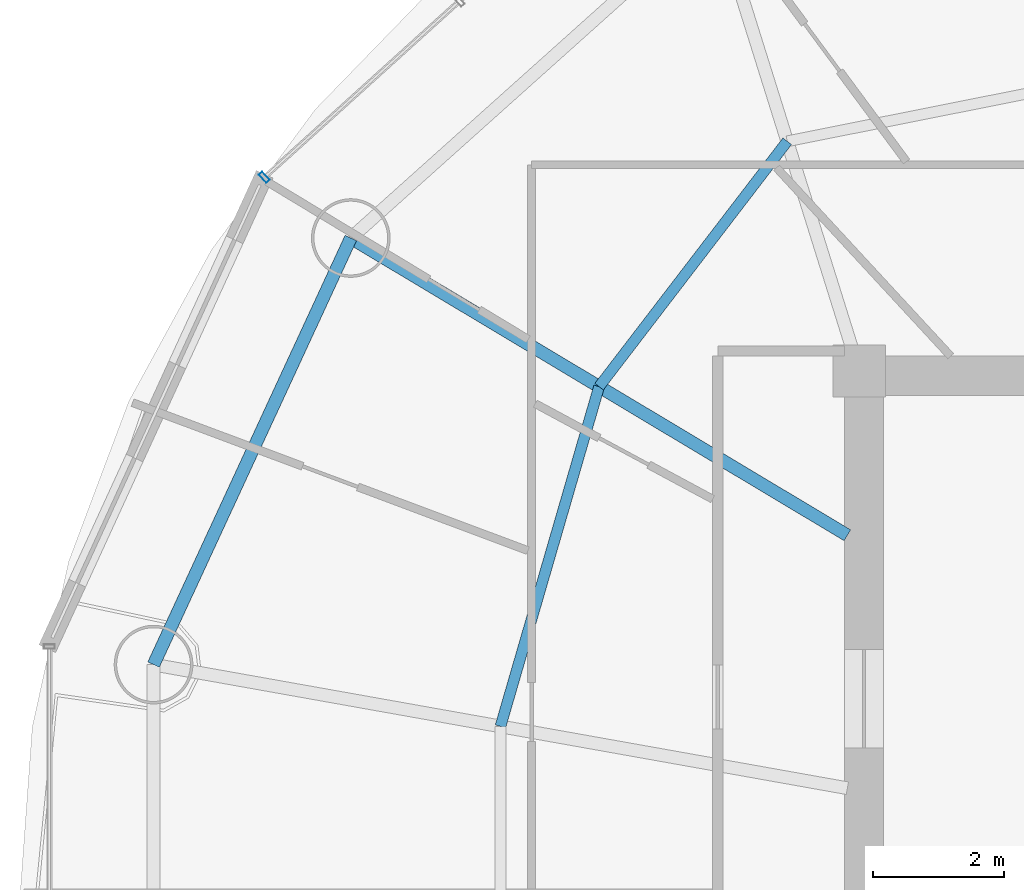
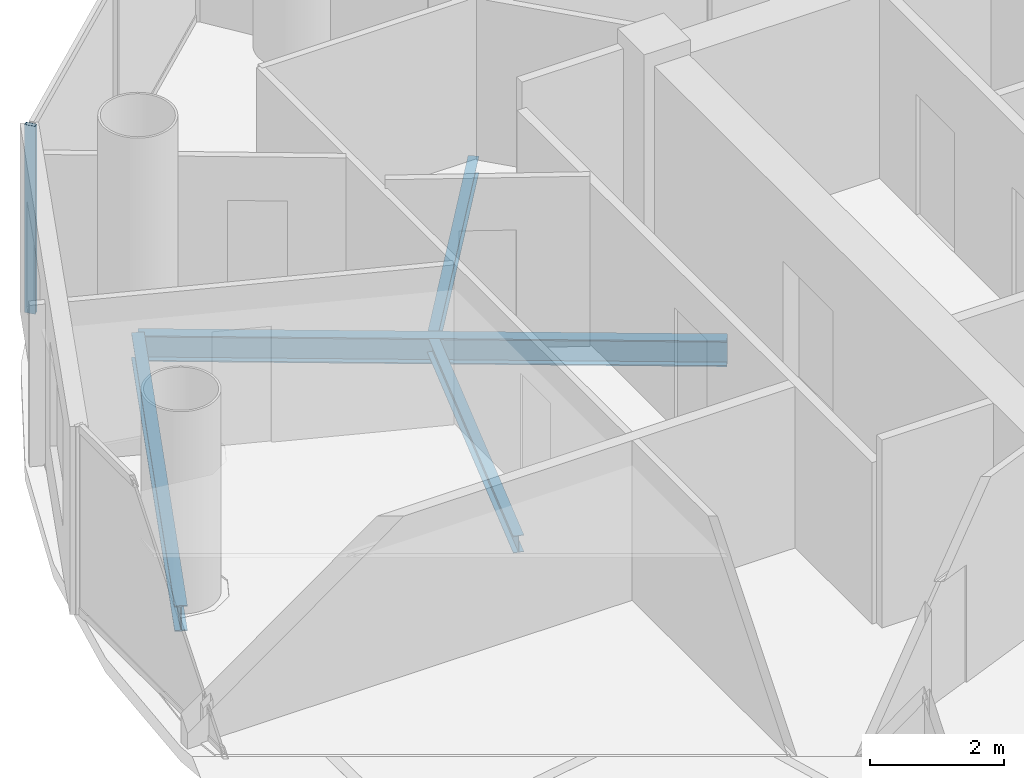
# One storey, part 8 of 26: 4 beams, 1 member, 1 element without a shape of its own.
"""IFC4 building model written with IfcOpenShell, lengths in metres."""

from ifc_helpers import new_model, si_unit, direction, frame, origin, origin_2d, place, context, subcontext, project, spatial, hollow_rectangle, i_section, extrude, source, transform, mapped, material, material_profile, profile_set, type_object, element, aggregate, save


model = new_model("IFC4")

# Units and contexts
model_context = context("Model", 3, precision=1e-05, world=origin(), true_north=direction((-0.2419218956, 0.970295726276)))
body_context = subcontext(model_context, "Body", "Model", "MODEL_VIEW")
ifc_project = project(units=[si_unit("LENGTHUNIT", "METRE"), si_unit("AREAUNIT", "SQUARE_METRE"), si_unit("VOLUMEUNIT", "CUBIC_METRE"), si_unit("PLANEANGLEUNIT", "RADIAN"), si_unit("MASSUNIT", "GRAM", prefix="KILO")], contexts=[model_context])

# Site, building, storey
site_placement = place(None, origin())
site = spatial("IfcSite", under=ifc_project, at=site_placement, CompositionType="ELEMENT")
building_placement = place(site_placement, origin())
building = spatial("IfcBuilding", under=site, at=building_placement, Name="Cobrevalo Terracotta Tower", CompositionType="ELEMENT")
storey_placement = place(building_placement, frame((0.0, 0.0, 217.10009765625)))
storey = spatial("IfcBuildingStorey", under=building, at=storey_placement, Name="L57", CompositionType="ELEMENT", Elevation=217.10009765625)

# Beams
ifc_material_1 = material(Name="Steel S355", Category="steel")
ifc_material_profile_1 = material_profile(ifc_material_1, i_section(OverallWidth=0.194091796875, OverallDepth=0.468994140625, WebThickness=0.011474609375, FlangeThickness=0.0205078125, at=origin_2d()), Name="W 460x106")
ifc_profile_set_1 = profile_set([ifc_material_profile_1], Name="Steel S355")
beam_type_1 = type_object("IfcBeamType", Name="Structural Beam W 460x106 (Steel S355)", PredefinedType="BEAM", material=ifc_profile_set_1)
beam_1_placement = place(storey_placement, frame((21.245849609375, 36.828125, -0.49951171875), z_axis=(0.858046392192, -0.513572184651, 0.0), x_axis=(0.513572184651, 0.858046392192, 0.0)))
element("IfcBeam", 1, at=beam_1_placement, inside=storey, type_object=beam_type_1, Name="L57 radial floor girder 07", PredefinedType="BEAM", context=body_context, shape_type="SweptSolid", body=[
    extrude(i_section(OverallWidth=0.194091796875, OverallDepth=0.468994140625, WebThickness=0.011474609375, FlangeThickness=0.0205078125, at=origin_2d()), origin(), (0.0, 0.0, 1.0), 8.827392578125),
])
ifc_material_profile_2 = material_profile(ifc_material_1, i_section(OverallWidth=0.1650390625, OverallDepth=0.31005859375, WebThickness=0.005859375, FlangeThickness=0.009765625, at=origin_2d()), Name="W 310x38.7")
ifc_profile_set_2 = profile_set([ifc_material_profile_2], Name="Steel S355")
beam_type_2 = type_object("IfcBeamType", Name="Structural Joist W 310x38.7 (Steel S355)", PredefinedType="JOIST", material=ifc_profile_set_2)
beam_2_placement = place(storey_placement, frame((27.902587890625, 38.303955078125, -0.420166015625), z_axis=(-0.608464146296, -0.793581364872, 0.0), x_axis=(0.793581364872, -0.608464146296, 0.0)))
element("IfcBeam", 2, at=beam_2_placement, inside=storey, type_object=beam_type_2, Name="L57 circumferential secondary floor joist 06", PredefinedType="JOIST", context=body_context, shape_type="SweptSolid", body=[
    extrude(i_section(OverallWidth=0.1650390625, OverallDepth=0.31005859375, WebThickness=0.005859375, FlangeThickness=0.009765625, at=origin_2d()), origin(), (0.0, 0.0, 1.0), 4.716064453125),
])
beam_3_placement = place(storey_placement, frame((25.032958984375, 34.561279296875, -0.420166015625), z_axis=(-0.278769817131, -0.960357948401, 0.0), x_axis=(0.960357948401, -0.278769817131, 0.0)))
element("IfcBeam", 3, at=beam_3_placement, inside=storey, type_object=beam_type_2, Name="L57 circumferential secondary floor joist 07", PredefinedType="JOIST", context=body_context, shape_type="SweptSolid", body=[
    extrude(i_section(OverallWidth=0.1650390625, OverallDepth=0.31005859375, WebThickness=0.005859375, FlangeThickness=0.009765625, at=origin_2d()), origin(), (0.0, 0.0, 1.0), 5.396484375),
])
ifc_material_profile_3 = material_profile(ifc_material_1, i_section(OverallWidth=0.194091796875, OverallDepth=0.468994140625, WebThickness=0.011474609375, FlangeThickness=0.0205078125, at=origin_2d()), Name="W 460x106")
ifc_profile_set_3 = profile_set([ifc_material_profile_3], Name="Steel S355")
beam_type_3 = type_object("IfcBeamType", Name="Structural Spandrel W 460x106 (Steel S355)", PredefinedType="SPANDREL", material=ifc_profile_set_3)
beam_4_placement = place(storey_placement, frame((21.245849609375, 36.828125, -0.49951171875), z_axis=(-0.419705965131, -0.907660125176, 0.0), x_axis=(0.907660125176, -0.419705965131, 0.0)))
element("IfcBeam", 4, at=beam_4_placement, inside=storey, type_object=beam_type_3, Name="L57 perimeter ring spandrel 07", PredefinedType="SPANDREL", context=body_context, shape_type="SweptSolid", body=[
    extrude(i_section(OverallWidth=0.194091796875, OverallDepth=0.468994140625, WebThickness=0.011474609375, FlangeThickness=0.0205078125, at=origin_2d()), origin(), (0.0, 0.0, 1.0), 7.168701171875),
])

# Curtain wall, member
ifc_material_2 = material(Name="Anodized aluminium", Category="aluminium")
curtain_wall_type = type_object("IfcCurtainWallType", Name="Mid-tower high-wind unitised curtain wall CW-U2", PredefinedType="NOTDEFINED", material=ifc_material_2)
curtain_wall_placement = place(storey_placement, origin())
curtain_wall = element("IfcCurtainWall", 5, at=curtain_wall_placement, inside=storey, type_object=curtain_wall_type, Name="L57 curtain wall CW-L57-S06", PredefinedType="NOTDEFINED")
ifc_material_profile_4 = material_profile(ifc_material_2, hollow_rectangle(XDim=0.070068359375, YDim=0.169921875, WallThickness=0.00439453125, at=origin_2d()), Name="CWM 70x170")
ifc_profile_set_4 = profile_set([ifc_material_profile_4], Name="Anodized aluminium")
member_type = type_object("IfcMemberType", Name="Upper tower unitised mullion 70x170", PredefinedType="MULLION", material=ifc_profile_set_4)
shared_shape = source(origin(), body_context, "Body", "SweptSolid", [
    extrude(hollow_rectangle(XDim=0.070068359375, YDim=0.169921875, WallThickness=0.00439453125, at=origin_2d()), origin(), (0.0, 0.0, 1.0), 3.434814453125),
])
member_placement = place(storey_placement, frame((19.928466796875, 37.7548828125, 0.0), z_axis=(0.0, 0.0, 1.0), x_axis=(-0.741987542015, -0.670413668935, 0.0)))
member = element("IfcMember", 6, at=member_placement, type_object=member_type, Name="CW-L57-S06 vertical mullion 03", PredefinedType="MULLION", context=body_context, shape_type="MappedRepresentation", body=[
    mapped(shared_shape, transform((0.0, 0.0, 0.0), scale=1.0)),
])
aggregate(curtain_wall, [member])

save(model, "model.ifc")
